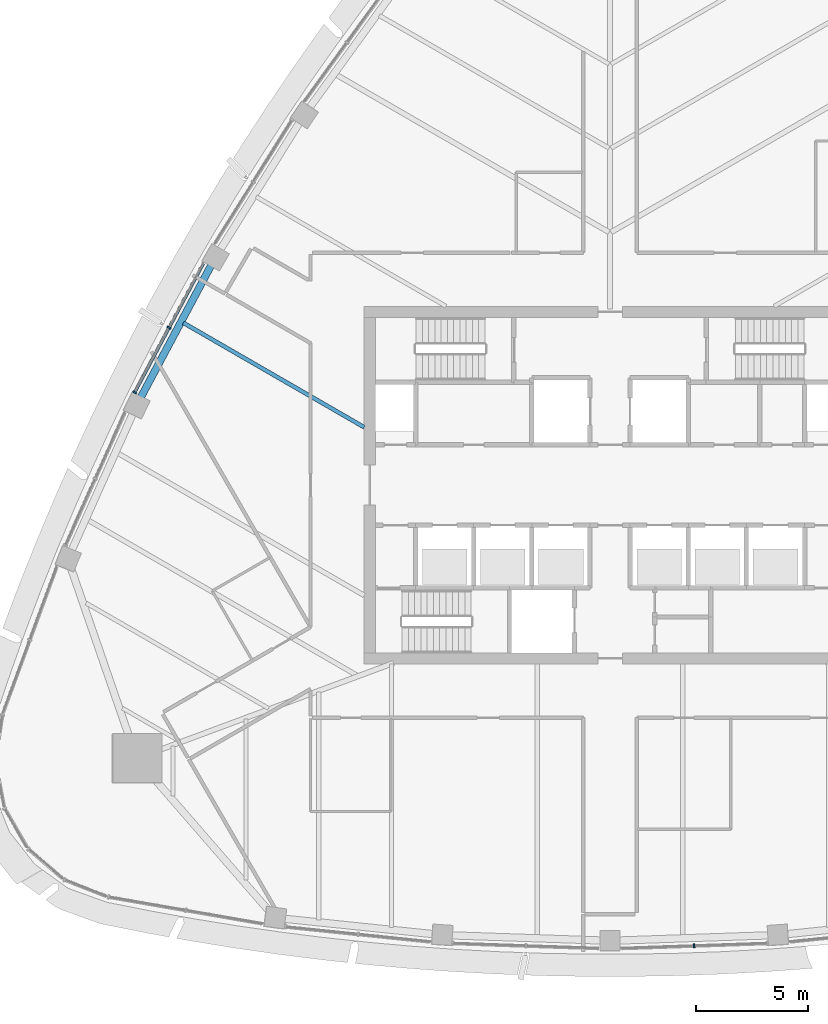
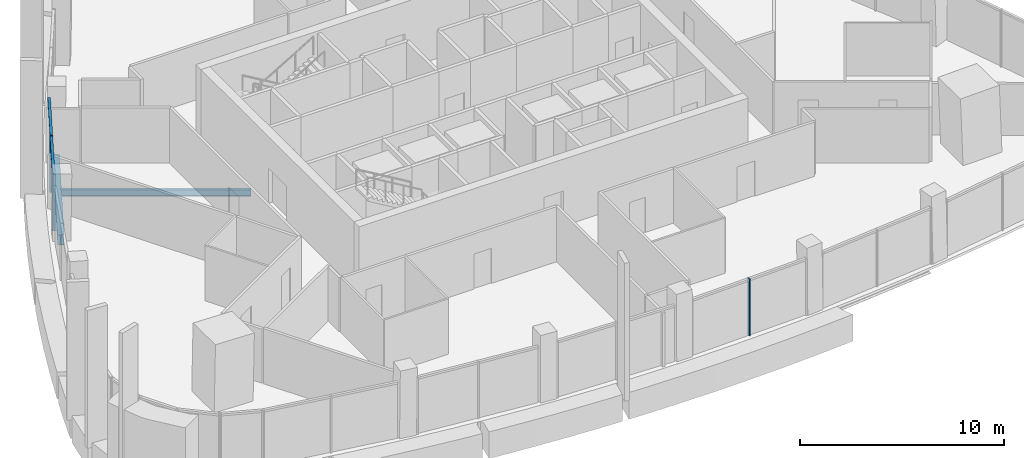
# One storey, part 3 of 16: 5 members, 2 beams, 2 elements without a shape of their own.
"""IFC4 building model written with IfcOpenShell, lengths in metres."""

from ifc_helpers import new_model, si_unit, direction, frame, origin, origin_2d, place, context, subcontext, project, spatial, rectangle, i_section, extrude, material, layer, layer_set, material_profile, profile_set, type_object, element, aggregate, save


model = new_model("IFC4")

# Units and contexts
model_context = context("Model", 3, precision=1e-05, world=origin(), true_north=direction((0.0, 1.0)))
body_context = subcontext(model_context, "Body", "Model", "MODEL_VIEW")
ifc_project = project(units=[si_unit("LENGTHUNIT", "METRE"), si_unit("AREAUNIT", "SQUARE_METRE"), si_unit("VOLUMEUNIT", "CUBIC_METRE"), si_unit("PLANEANGLEUNIT", "RADIAN"), si_unit("MASSUNIT", "GRAM", prefix="KILO")], contexts=[model_context])

# Site, building, storey
site_placement = place(None, origin())
site = spatial("IfcSite", under=ifc_project, at=site_placement, CompositionType="ELEMENT")
building_placement = place(site_placement, origin())
building = spatial("IfcBuilding", under=site, at=building_placement, Name="Sierra Prisma Convention Tower", CompositionType="ELEMENT")
storey_placement = place(building_placement, frame((0.0, 0.0, 271.0)))
storey = spatial("IfcBuildingStorey", under=building, at=storey_placement, Name="L61", CompositionType="ELEMENT", Elevation=271.0)

# Curtain wall, member
ifc_material_1 = material(Name="Aluminium and glass curtain wall", Category="aluminium")
ifc_layer = layer(ifc_material_1, 0.179931640625)
ifc_layer_set = layer_set([ifc_layer], Name="CW-1 Plain shaft curtain wall")
curtain_wall_type = type_object("IfcCurtainWallType", Name="CW-1 Plain shaft curtain wall", PredefinedType="NOTDEFINED", material=ifc_layer_set)
curtain_wall_1_placement = place(storey_placement, origin())
curtain_wall_1 = element("IfcCurtainWall", 1, at=curtain_wall_1_placement, inside=storey, type_object=curtain_wall_type, Name="CW-1 S4 L61", PredefinedType="NOTDEFINED")
ifc_material_2 = material(Name="Aluminium 6063-T6 bronze anodised", Category="aluminium")
ifc_material_profile_1 = material_profile(ifc_material_2, rectangle(XDim=0.179931640625, YDim=0.070068359375, at=origin_2d()), Name="ALU MULLION 70x180")
ifc_profile_set_1 = profile_set([ifc_material_profile_1], Name="Aluminium 6063-T6 bronze anodised")
member_type_1 = type_object("IfcMemberType", Name="CW mullion bronze", PredefinedType="MULLION", material=ifc_profile_set_1)
member_1_placement = place(storey_placement, frame((3.762451171875, -20.606689453125, 0.0), z_axis=(0.0, 0.0, 1.0), x_axis=(-0.034297874149, 0.999411654839, 0.0)))
member_1 = element("IfcMember", 2, at=member_1_placement, type_object=member_type_1, Name="CW-1 mullion S4.2", PredefinedType="MULLION", context=body_context, shape_type="SweptSolid", body=[
    extrude(rectangle(XDim=0.179931640625, YDim=0.070068359375, at=origin_2d()), origin(), (0.0, 0.0, 1.0), 3.39990234375),
])
aggregate(curtain_wall_1, [member_1])

# Curtain wall, members
curtain_wall_2_placement = place(storey_placement, origin())
curtain_wall_2 = element("IfcCurtainWall", 3, at=curtain_wall_2_placement, inside=storey, type_object=curtain_wall_type, Name="CW-1 NW4 L61", PredefinedType="NOTDEFINED")
member_2_placement = place(storey_placement, frame((-19.72705078125, 7.044921875, 0.0), z_axis=(0.0, 0.0, 1.0), x_axis=(0.882664819004, -0.470002997111, 0.0)))
member_2 = element("IfcMember", 4, at=member_2_placement, type_object=member_type_1, Name="CW-1 mullion NW4.2", PredefinedType="MULLION", context=body_context, shape_type="SweptSolid", body=[
    extrude(rectangle(XDim=0.179931640625, YDim=0.070068359375, at=origin_2d()), origin(), (0.0, 0.0, 1.0), 3.39990234375),
])
member_3_placement = place(storey_placement, frame((-21.2685546875, 4.14990234375, 0.0), z_axis=(0.0, 0.0, 1.0), x_axis=(0.882664819004, -0.470002997111, 0.0)))
member_3 = element("IfcMember", 5, at=member_3_placement, type_object=member_type_1, Name="CW-1 mullion NW4.3", PredefinedType="MULLION", context=body_context, shape_type="SweptSolid", body=[
    extrude(rectangle(XDim=0.179931640625, YDim=0.070068359375, at=origin_2d()), origin(), (0.0, 0.0, 1.0), 3.39990234375),
])
ifc_material_3 = material(Name="Aluminium 6063-T6 bronze anodised", Category="aluminium")
ifc_material_profile_2 = material_profile(ifc_material_3, rectangle(XDim=0.139892578125, YDim=0.1201171875, at=origin_2d()), Name="ALU TRANSOM 120x140")
ifc_profile_set_2 = profile_set([ifc_material_profile_2], Name="Aluminium 6063-T6 bronze anodised")
member_type_2 = type_object("IfcMemberType", Name="CW transom bronze", PredefinedType="USERDEFINED", material=ifc_profile_set_2)
member_4_placement = place(storey_placement, frame((-18.2021484375, 9.908935546875, 3.340087890625), z_axis=(-0.469976218825, -0.882679077434, 0.0), x_axis=(0.882679077434, -0.469976218825, 0.0)))
member_4 = element("IfcMember", 6, at=member_4_placement, type_object=member_type_2, Name="CW-1 transom NW4.1", ObjectType="TRANSOM", PredefinedType="USERDEFINED", context=body_context, shape_type="SweptSolid", body=[
    extrude(rectangle(XDim=0.139892578125, YDim=0.1201171875, at=origin_2d()), origin(), (0.0, 0.0, 1.0), 3.209716796875),
])
member_5_placement = place(storey_placement, frame((-19.74365234375, 7.013916015625, 3.340087890625), z_axis=(-0.470007773334, -0.882662275735, 0.0), x_axis=(0.882662275735, -0.470007773334, 0.0)))
member_5 = element("IfcMember", 7, at=member_5_placement, type_object=member_type_2, Name="CW-1 transom NW4.2", ObjectType="TRANSOM", PredefinedType="USERDEFINED", context=body_context, shape_type="SweptSolid", body=[
    extrude(rectangle(XDim=0.139892578125, YDim=0.1201171875, at=origin_2d()), origin(), (0.0, 0.0, 1.0), 3.209716796875),
])
aggregate(curtain_wall_2, [member_2, member_3, member_4, member_5])

# Beams
ifc_material_4 = material(Name="Steel ASTM A992 Gr 50", Category="steel")
ifc_material_profile_3 = material_profile(ifc_material_4, i_section(OverallWidth=0.177978515625, OverallDepth=0.406982421875, WebThickness=0.0078125, FlangeThickness=0.0126953125, at=origin_2d()), Name="W410x60")
ifc_profile_set_3 = profile_set([ifc_material_profile_3], Name="Steel ASTM A992 Gr 50")
beam_type_1 = type_object("IfcBeamType", Name="Floor joist W410x60", PredefinedType="JOIST", material=ifc_profile_set_3)
beam_1_placement = place(storey_placement, frame((-19.08935546875, 7.259033203125, -0.353515625), z_axis=(0.866024541596, -0.500001493352, 0.0), x_axis=(0.500001493352, 0.866024541596, 0.0)))
element("IfcBeam", 8, at=beam_1_placement, inside=storey, type_object=beam_type_1, Name="Floor joist L61 NW08", PredefinedType="JOIST", context=body_context, shape_type="SweptSolid", body=[
    extrude(i_section(OverallWidth=0.177978515625, OverallDepth=0.406982421875, WebThickness=0.0078125, FlangeThickness=0.0126953125, at=origin_2d()), origin(), (0.0, 0.0, 1.0), 9.3408203125),
])
ifc_material_5 = material(Name="Steel ASTM A992 Gr 50", Category="steel")
ifc_material_profile_4 = material_profile(ifc_material_5, i_section(OverallWidth=0.324951171875, OverallDepth=0.615966796875, WebThickness=0.013916015625, FlangeThickness=0.021484375, at=origin_2d()), Name="W610x174")
ifc_profile_set_4 = profile_set([ifc_material_profile_4], Name="Steel ASTM A992 Gr 50")
beam_type_2 = type_object("IfcBeamType", Name="Spandrel beam W610x174", PredefinedType="BEAM", material=ifc_profile_set_4)
beam_2_placement = place(storey_placement, frame((-17.809814453125, 9.9013671875, -0.4580078125), z_axis=(-0.469981982032, -0.882676008831, 0.0), x_axis=(0.882676008831, -0.469981982032, 0.0)))
element("IfcBeam", 9, at=beam_2_placement, inside=storey, type_object=beam_type_2, Name="Spandrel L61-16", PredefinedType="BEAM", context=body_context, shape_type="SweptSolid", body=[
    extrude(i_section(OverallWidth=0.324951171875, OverallDepth=0.615966796875, WebThickness=0.013916015625, FlangeThickness=0.021484375, at=origin_2d()), origin(), (0.0, 0.0, 1.0), 6.85693359375),
])

save(model, "model.ifc")
